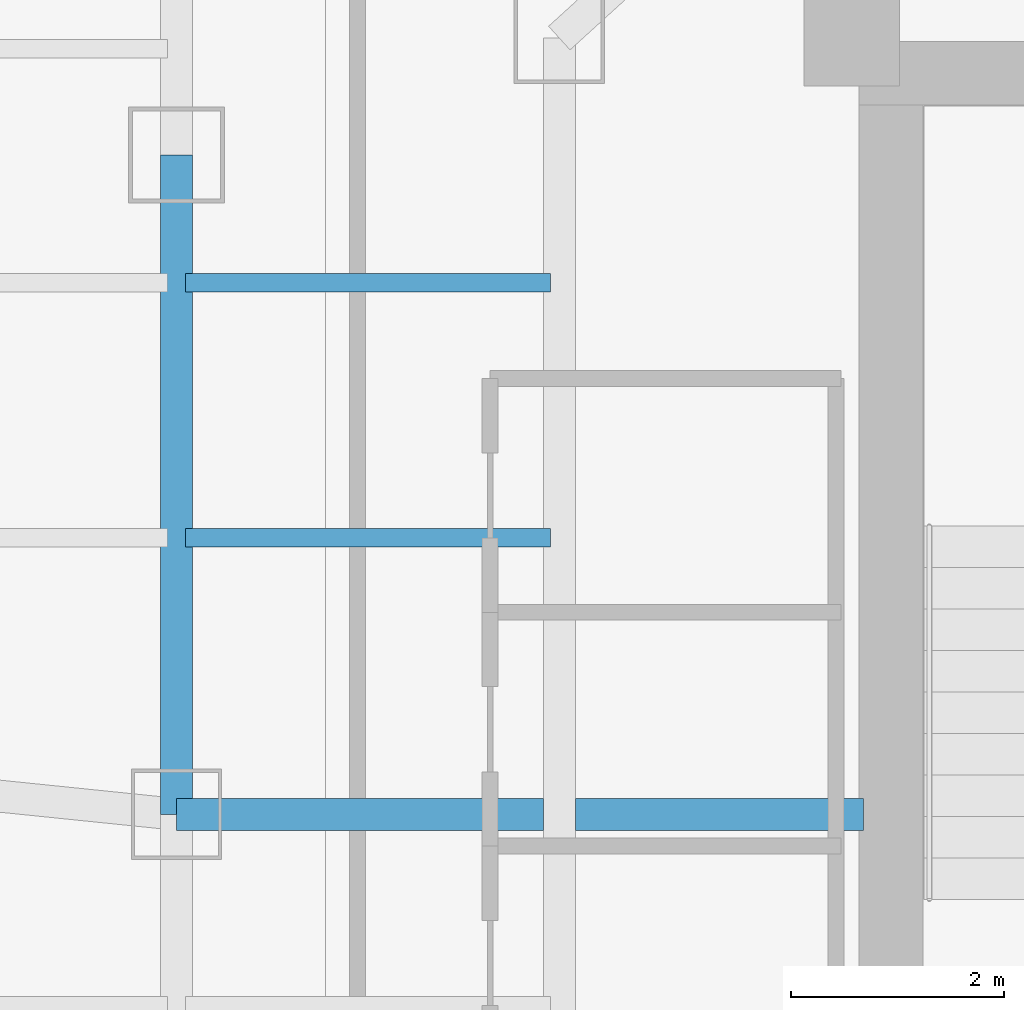
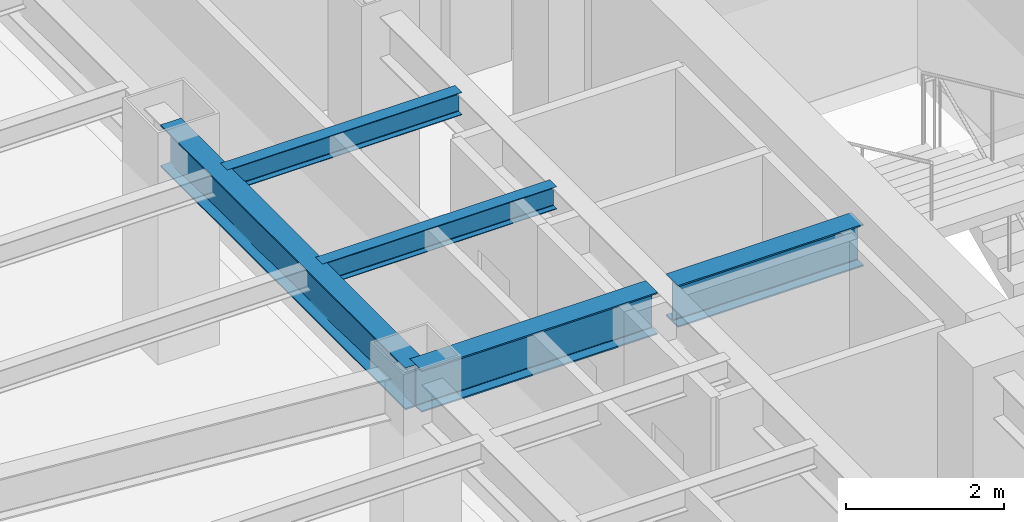
# One storey, part 16 of 29: 5 beams.
"""IFC4 building model written with IfcOpenShell, lengths in metres."""

from ifc_helpers import new_model, si_unit, direction, frame, origin, origin_2d, place, context, subcontext, project, spatial, i_section, extrude, material, material_profile, profile_set, type_object, element, save


model = new_model("IFC4")

# Units and contexts
model_context = context("Model", 3, precision=1e-05, world=origin(), true_north=direction((0.0, 1.0)))
body_context = subcontext(model_context, "Body", "Model", "MODEL_VIEW")
ifc_project = project(units=[si_unit("LENGTHUNIT", "METRE"), si_unit("AREAUNIT", "SQUARE_METRE"), si_unit("VOLUMEUNIT", "CUBIC_METRE"), si_unit("PLANEANGLEUNIT", "RADIAN"), si_unit("MASSUNIT", "GRAM", prefix="KILO")], contexts=[model_context])

# Site, building, storey
site_placement = place(None, origin())
site = spatial("IfcSite", under=ifc_project, at=site_placement, CompositionType="ELEMENT")
building_placement = place(site_placement, origin())
building = spatial("IfcBuilding", under=site, at=building_placement, Name="Hatsunagi Terrace Concourse", CompositionType="ELEMENT")
storey_placement = place(building_placement, frame((0.0, 0.0, 126.449951171875)))
storey = spatial("IfcBuildingStorey", under=building, at=storey_placement, Name="L33", CompositionType="ELEMENT", Elevation=126.449951171875)

# Beams
ifc_material_1 = material(Name="Steel SN490B", Category="steel")
ifc_material_profile_1 = material_profile(ifc_material_1, i_section(OverallWidth=0.175048828125, OverallDepth=0.35009765625, WebThickness=0.007080078125, FlangeThickness=0.010986328125, FilletRadius=0.012939453125, at=origin_2d()), Name="H-350x175x7x11")
ifc_profile_set_1 = profile_set([ifc_material_profile_1], Name="Steel SN490B")
beam_type_1 = type_object("IfcBeamType", Name="HotelJoist_H_350x175", PredefinedType="JOIST", material=ifc_profile_set_1)
for number, where, z_axis, x_axis, name in (
    (1, (19.284912109375, 38.60009765625, 3.175048828125), (1.0, 0.0, 0.0), (0.0, 1.0, 0.0), "Beam J-02 J-L33-W-19-386"),
    (2, (19.284912109375, 41.0, 3.175048828125), (1.0, 0.0, 0.0), (0.0, 1.0, 0.0), "Beam J-02 J-L33-W-19-410"),
):
    element("IfcBeam", number, at=place(storey_placement, frame(where, z_axis=z_axis, x_axis=x_axis)), inside=storey, type_object=beam_type_1, Name=name, PredefinedType="JOIST", context=body_context, shape_type="SweptSolid", body=[
        extrude(i_section(OverallWidth=0.175048828125, OverallDepth=0.35009765625, WebThickness=0.007080078125, FlangeThickness=0.010986328125, FilletRadius=0.012939453125, at=origin_2d()), origin(), (0.0, 0.0, 1.0), 3.43017578125),
    ])
ifc_material_2 = material(Name="Steel SN490B", Category="steel")
ifc_material_profile_2 = material_profile(ifc_material_2, i_section(OverallWidth=0.300048828125, OverallDepth=0.64990234375, WebThickness=0.012939453125, FlangeThickness=0.02197265625, FilletRadius=0.01806640625, at=origin_2d()), Name="H-650x300x13x22")
ifc_profile_set_2 = profile_set([ifc_material_profile_2], Name="Steel SN490B")
beam_type_2 = type_object("IfcBeamType", Name="OfficeLowGirder_H_650x300", PredefinedType="BEAM", material=ifc_profile_set_2)
beam_1_placement = place(storey_placement, frame((19.199951171875, 36.0, 3.025146484375), z_axis=(0.0, 1.0, 0.0), x_axis=(-1.0, 0.0, 0.0)))
element("IfcBeam", 3, at=beam_1_placement, inside=storey, type_object=beam_type_2, Name="Beam G-05 BM-L33-NS-19-36", PredefinedType="BEAM", context=body_context, shape_type="SweptSolid", body=[
    extrude(i_section(OverallWidth=0.300048828125, OverallDepth=0.64990234375, WebThickness=0.012939453125, FlangeThickness=0.02197265625, FilletRadius=0.01806640625, at=origin_2d()), origin(), (0.0, 0.0, 1.0), 6.199951171875),
])
beam_2_placement = place(storey_placement, frame((19.199951171875, 36.0, 3.025146484375), z_axis=(1.0, 0.0, 0.0), x_axis=(0.0, 1.0, 0.0)))
element("IfcBeam", 4, at=beam_2_placement, inside=storey, type_object=beam_type_2, Name="Beam G-05 BM-L33-EW-3", PredefinedType="BEAM", context=body_context, shape_type="SweptSolid", body=[
    extrude(i_section(OverallWidth=0.300048828125, OverallDepth=0.64990234375, WebThickness=0.012939453125, FlangeThickness=0.02197265625, FilletRadius=0.01806640625, at=origin_2d()), origin(), (0.0, 0.0, 1.0), 3.449951171875),
])
beam_3_placement = place(storey_placement, frame((22.949951171875, 36.0, 3.025146484375), z_axis=(1.0, 0.0, 0.0), x_axis=(0.0, 1.0, 0.0)))
element("IfcBeam", 5, at=beam_3_placement, inside=storey, type_object=beam_type_2, Name="Beam G-05 BM-L33-EW-4", PredefinedType="BEAM", context=body_context, shape_type="SweptSolid", body=[
    extrude(i_section(OverallWidth=0.300048828125, OverallDepth=0.64990234375, WebThickness=0.012939453125, FlangeThickness=0.02197265625, FilletRadius=0.01806640625, at=origin_2d()), origin(), (0.0, 0.0, 1.0), 2.7099609375),
])

save(model, "model.ifc")
